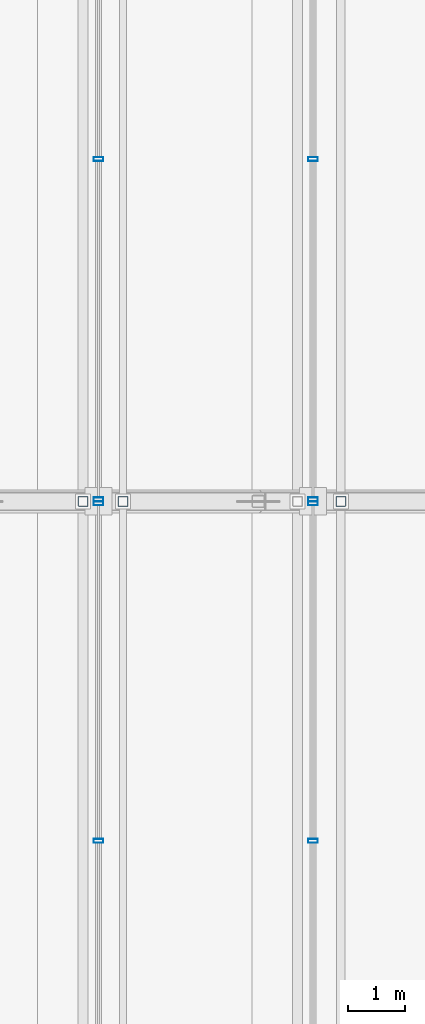
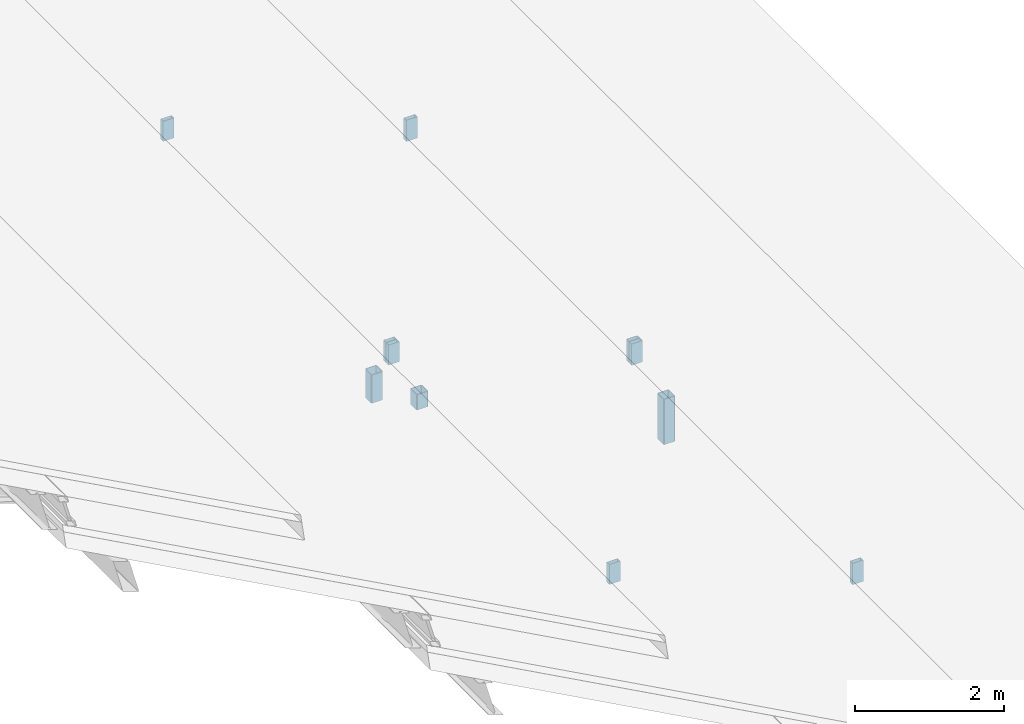
# One storey, part 62 of 117: 11 members, 4 elements without a shape of their own.
"""IFC4 building model written with IfcOpenShell, lengths in metres."""

from ifc_helpers import new_model, si_unit, direction, frame, origin, origin_2d, place, context, subcontext, project, spatial, hollow_rectangle, extrude, material, material_profile, profile_set, type_object, element, aggregate, save


model = new_model("IFC4")

# Units and contexts
model_context = context("Model", 3, precision=1e-05, world=origin(), true_north=direction((0.0, 1.0)))
body_context = subcontext(model_context, "Body", "Model", "MODEL_VIEW")
ifc_project = project(units=[si_unit("LENGTHUNIT", "METRE"), si_unit("AREAUNIT", "SQUARE_METRE"), si_unit("VOLUMEUNIT", "CUBIC_METRE"), si_unit("PLANEANGLEUNIT", "RADIAN"), si_unit("MASSUNIT", "GRAM", prefix="KILO")], contexts=[model_context])

# Site, building, storey
site_placement = place(None, origin())
site = spatial("IfcSite", under=ifc_project, at=site_placement, CompositionType="ELEMENT")
building_placement = place(site_placement, origin())
building = spatial("IfcBuilding", under=site, at=building_placement, Name="Merenkruunu Market Hall", CompositionType="ELEMENT")
storey_placement = place(building_placement, frame((0.0, 0.0, 22.800048828125)))
storey = spatial("IfcBuildingStorey", under=building, at=storey_placement, Name="RF", CompositionType="ELEMENT", Elevation=22.800048828125)

# Curtain wall, members
ifc_material_1 = material(Name="Powder-coated aluminium", Category="aluminium")
curtain_wall_type = type_object("IfcCurtainWallType", Name="Clerestory Curtain Band CL05", PredefinedType="USERDEFINED", material=ifc_material_1)
curtain_wall_1_placement = place(storey_placement, origin())
curtain_wall_1 = element("IfcCurtainWall", 1, at=curtain_wall_1_placement, inside=storey, type_object=curtain_wall_type, Name="CW-RF-CWM04-082", ObjectType="CLERESTORY_BAND", PredefinedType="USERDEFINED")
ifc_material_profile_1 = material_profile(ifc_material_1, hollow_rectangle(XDim=0.070068359375, YDim=0.169921875, WallThickness=0.0048828125, at=origin_2d()), Name="ALU 70x170x5")
ifc_profile_set_1 = profile_set([ifc_material_profile_1], Name="Powder-coated aluminium")
member_type_1 = type_object("IfcMemberType", Name="Curtain Wall Mullion CWM04", PredefinedType="MULLION", material=ifc_profile_set_1)
member_1_placement = place(storey_placement, frame((53.760009765625, 39.56494140625, -6.52197265625), z_axis=(0.0, 0.0, 1.0), x_axis=(0.0, -1.0, 0.0)))
member_1 = element("IfcMember", 2, at=member_1_placement, type_object=member_type_1, Name="CL05 mullion 1", PredefinedType="MULLION", context=body_context, shape_type="SweptSolid", body=[
    extrude(hollow_rectangle(XDim=0.070068359375, YDim=0.169921875, WallThickness=0.0048828125, at=origin_2d()), origin(), (0.0, 0.0, 1.0), 0.347900390625),
])
member_2_placement = place(storey_placement, frame((53.760009765625, 33.64990234375, -6.52197265625), z_axis=(0.0, 0.0, 1.0), x_axis=(0.0, -1.0, 0.0)))
member_2 = element("IfcMember", 3, at=member_2_placement, type_object=member_type_1, Name="CL05 mullion 2", PredefinedType="MULLION", context=body_context, shape_type="SweptSolid", body=[
    extrude(hollow_rectangle(XDim=0.070068359375, YDim=0.169921875, WallThickness=0.0048828125, at=origin_2d()), origin(), (0.0, 0.0, 1.0), 0.347900390625),
])
aggregate(curtain_wall_1, [member_1, member_2])

curtain_wall_2_placement = place(storey_placement, origin())
curtain_wall_2 = element("IfcCurtainWall", 4, at=curtain_wall_2_placement, inside=storey, type_object=curtain_wall_type, Name="CW-RF-CWM04-084", ObjectType="CLERESTORY_BAND", PredefinedType="USERDEFINED")
member_3_placement = place(storey_placement, frame((53.760009765625, 45.60009765625, -6.52197265625), z_axis=(0.0, 0.0, 1.0), x_axis=(0.0, -1.0, 0.0)))
member_3 = element("IfcMember", 5, at=member_3_placement, type_object=member_type_1, Name="CL05 mullion 4", PredefinedType="MULLION", context=body_context, shape_type="SweptSolid", body=[
    extrude(hollow_rectangle(XDim=0.070068359375, YDim=0.169921875, WallThickness=0.0048828125, at=origin_2d()), origin(), (0.0, 0.0, 1.0), 0.347900390625),
])
member_4_placement = place(storey_placement, frame((53.760009765625, 39.635009765625, -6.52197265625), z_axis=(0.0, 0.0, 1.0), x_axis=(0.0, -1.0, 0.0)))
member_4 = element("IfcMember", 6, at=member_4_placement, type_object=member_type_1, Name="CL05 mullion 5", PredefinedType="MULLION", context=body_context, shape_type="SweptSolid", body=[
    extrude(hollow_rectangle(XDim=0.070068359375, YDim=0.169921875, WallThickness=0.0048828125, at=origin_2d()), origin(), (0.0, 0.0, 1.0), 0.347900390625),
])
aggregate(curtain_wall_2, [member_3, member_4])

curtain_wall_3_placement = place(storey_placement, origin())
curtain_wall_3 = element("IfcCurtainWall", 7, at=curtain_wall_3_placement, inside=storey, type_object=curtain_wall_type, Name="CW-RF-CWM04-090", ObjectType="CLERESTORY_BAND", PredefinedType="USERDEFINED")
member_5_placement = place(storey_placement, frame((50.0, 39.56494140625, -5.2021484375), z_axis=(0.0, 0.0, 1.0), x_axis=(0.0, -1.0, 0.0)))
member_5 = element("IfcMember", 8, at=member_5_placement, type_object=member_type_1, Name="CL05 mullion 1", PredefinedType="MULLION", context=body_context, shape_type="SweptSolid", body=[
    extrude(hollow_rectangle(XDim=0.070068359375, YDim=0.169921875, WallThickness=0.0048828125, at=origin_2d()), origin(), (0.0, 0.0, 1.0), 0.3271484375),
])
member_6_placement = place(storey_placement, frame((50.0, 33.64990234375, -5.2021484375), z_axis=(0.0, 0.0, 1.0), x_axis=(0.0, -1.0, 0.0)))
member_6 = element("IfcMember", 9, at=member_6_placement, type_object=member_type_1, Name="CL05 mullion 2", PredefinedType="MULLION", context=body_context, shape_type="SweptSolid", body=[
    extrude(hollow_rectangle(XDim=0.070068359375, YDim=0.169921875, WallThickness=0.0048828125, at=origin_2d()), origin(), (0.0, 0.0, 1.0), 0.3271484375),
])
aggregate(curtain_wall_3, [member_5, member_6])

curtain_wall_4_placement = place(storey_placement, origin())
curtain_wall_4 = element("IfcCurtainWall", 10, at=curtain_wall_4_placement, inside=storey, type_object=curtain_wall_type, Name="CW-RF-CWM04-092", ObjectType="CLERESTORY_BAND", PredefinedType="USERDEFINED")
member_7_placement = place(storey_placement, frame((50.0, 45.60009765625, -5.2021484375), z_axis=(0.0, 0.0, 1.0), x_axis=(0.0, -1.0, 0.0)))
member_7 = element("IfcMember", 11, at=member_7_placement, type_object=member_type_1, Name="CL05 mullion 4", PredefinedType="MULLION", context=body_context, shape_type="SweptSolid", body=[
    extrude(hollow_rectangle(XDim=0.070068359375, YDim=0.169921875, WallThickness=0.0048828125, at=origin_2d()), origin(), (0.0, 0.0, 1.0), 0.3271484375),
])
member_8_placement = place(storey_placement, frame((50.0, 39.635009765625, -5.2021484375), z_axis=(0.0, 0.0, 1.0), x_axis=(0.0, -1.0, 0.0)))
member_8 = element("IfcMember", 12, at=member_8_placement, type_object=member_type_1, Name="CL05 mullion 5", PredefinedType="MULLION", context=body_context, shape_type="SweptSolid", body=[
    extrude(hollow_rectangle(XDim=0.070068359375, YDim=0.169921875, WallThickness=0.0048828125, at=origin_2d()), origin(), (0.0, 0.0, 1.0), 0.3271484375),
])
aggregate(curtain_wall_4, [member_7, member_8])

# Members
ifc_material_2 = material(Name="Steel S355J2", Category="steel")
ifc_material_profile_2 = material_profile(ifc_material_2, hollow_rectangle(XDim=0.179931640625, YDim=0.179931640625, WallThickness=0.010009765625, InnerFilletRadius=0.010009765625, OuterFilletRadius=0.02001953125, at=origin_2d()), Name="SHS 180x180x10")
ifc_profile_set_2 = profile_set([ifc_material_profile_2], Name="Steel S355J2")
member_type_2 = type_object("IfcMemberType", Name="Diagonal Sway Brace BR05", PredefinedType="BRACE", material=ifc_profile_set_2)
member_9_placement = place(storey_placement, frame((54.25, 39.60009765625, -7.98095703125), z_axis=(0.0, 0.0, 1.0), x_axis=(1.0, 0.0, 0.0)))
element("IfcMember", 13, at=member_9_placement, inside=storey, type_object=member_type_2, Name="TRUSS-AT-3-RISER-E1-2", PredefinedType="BRACE", context=body_context, shape_type="SweptSolid", body=[
    extrude(hollow_rectangle(XDim=0.179931640625, YDim=0.179931640625, WallThickness=0.010009765625, InnerFilletRadius=0.010009765625, OuterFilletRadius=0.02001953125, at=origin_2d()), origin(), (0.0, 0.0, 1.0), 0.741455078125),
])
member_10_placement = place(storey_placement, frame((50.429931640625, 39.60009765625, -6.075439453125), z_axis=(0.0, 0.0, 1.0), x_axis=(1.0, 0.0, 0.0)))
element("IfcMember", 14, at=member_10_placement, inside=storey, type_object=member_type_2, Name="TRUSS-AT-3-RISER-E2-2", PredefinedType="BRACE", context=body_context, shape_type="SweptSolid", body=[
    extrude(hollow_rectangle(XDim=0.179931640625, YDim=0.179931640625, WallThickness=0.010009765625, InnerFilletRadius=0.010009765625, OuterFilletRadius=0.02001953125, at=origin_2d()), origin(), (0.0, 0.0, 1.0), 0.25),
])
member_11_placement = place(storey_placement, frame((49.72998046875, 39.60009765625, -5.720947265625), z_axis=(0.0, 0.0, 1.0), x_axis=(1.0, 0.0, 0.0)))
element("IfcMember", 15, at=member_11_placement, inside=storey, type_object=member_type_2, Name="TRUSS-AT-3-RISER-E3-1", PredefinedType="BRACE", context=body_context, shape_type="SweptSolid", body=[
    extrude(hollow_rectangle(XDim=0.179931640625, YDim=0.179931640625, WallThickness=0.010009765625, InnerFilletRadius=0.010009765625, OuterFilletRadius=0.02001953125, at=origin_2d()), origin(), (0.0, 0.0, 1.0), 0.462646484375),
])

save(model, "model.ifc")
